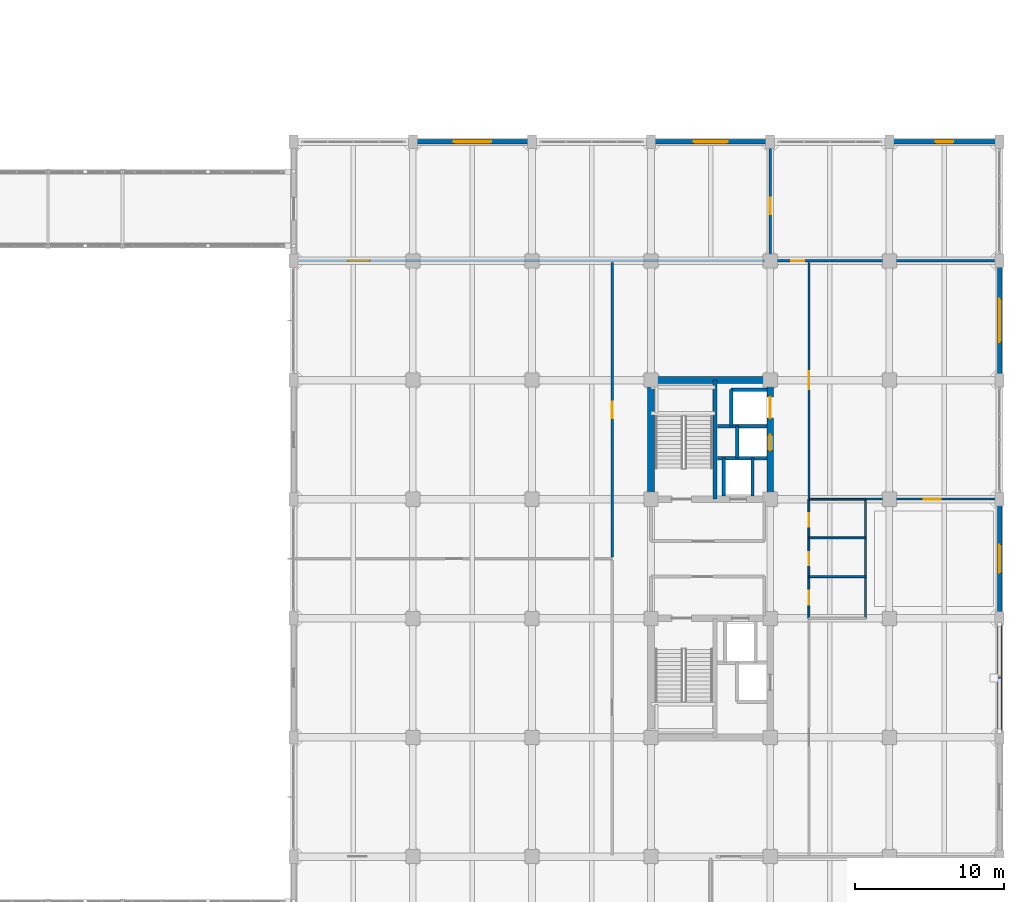
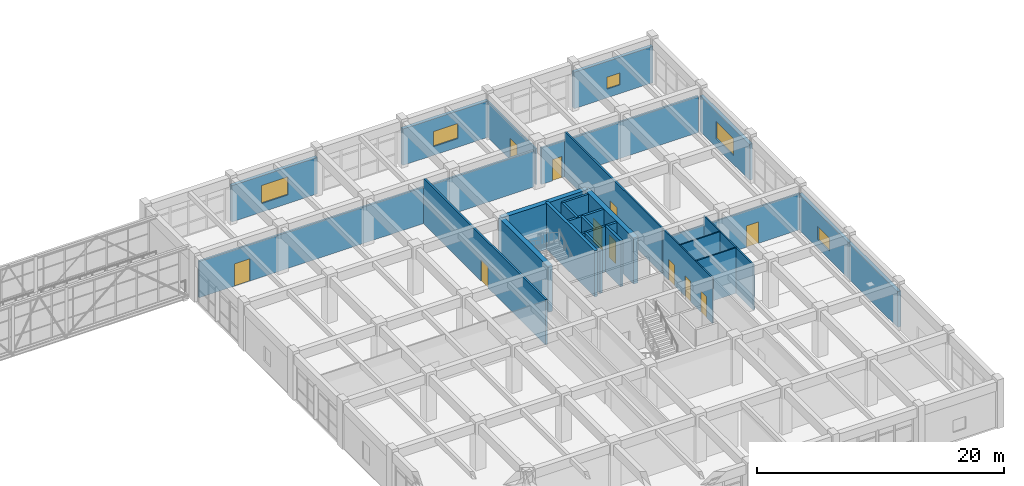
# One storey, part 229 of 248: 28 walls, 11 doors, 5 windows, 16 openings.
"""IFC4 building model written with IfcOpenShell, lengths in metres."""

from ifc_helpers import new_model, si_unit, direction, frame, frame_2d, origin, place, context, subcontext, project, spatial, rectangle, extrude, material, layer, layer_set, type_object, element, fill, save


model = new_model("IFC4")

# Units and contexts
model_context = context("Model", 3, precision=1e-05, world=origin(), true_north=direction((0.0, 1.0)))
body_context = subcontext(model_context, "Body", "Model", "MODEL_VIEW")
ifc_project = project(units=[si_unit("LENGTHUNIT", "METRE"), si_unit("AREAUNIT", "SQUARE_METRE"), si_unit("VOLUMEUNIT", "CUBIC_METRE"), si_unit("PLANEANGLEUNIT", "RADIAN"), si_unit("MASSUNIT", "GRAM", prefix="KILO")], contexts=[model_context])

# Site, building, storey
site_placement = place(None, origin())
site = spatial("IfcSite", under=ifc_project, at=site_placement, CompositionType="ELEMENT")
building_placement = place(site_placement, origin())
building = spatial("IfcBuilding", under=site, at=building_placement, Name="Canggui Botanical Conservatory", CompositionType="ELEMENT")
storey_placement = place(building_placement, frame((0.0, 0.0, 5.39990234375)))
storey = spatial("IfcBuildingStorey", under=building, at=storey_placement, Name="L02", CompositionType="ELEMENT", Elevation=5.39990234375)

# Wall, opening, window
ifc_material_1 = material(Name="Precast Concrete C40", Category="concrete")
ifc_layer_1 = layer(ifc_material_1, 0.300048828125, Name="Precast Concrete C40", Category="concrete")
ifc_layer_set_1 = layer_set([ifc_layer_1], Name="Precast Concrete C40")
wall_type_1 = type_object("IfcWallType", Name="EW-300", PredefinedType="STANDARD", material=ifc_layer_set_1)
wall_1_placement = place(storey_placement, frame((138.0, 82.0, 0.0), z_axis=(0.0, 0.0, 1.0), x_axis=(1.0, 0.0, 0.0)))
wall_1 = element("IfcWall", 1, at=wall_1_placement, inside=storey, type_object=wall_type_1, Name="Tower Insulated Exterior Wall L02-N15", PredefinedType="STANDARD", context=body_context, shape_type="SweptSolid", body=[
    extrude(rectangle(XDim=8.0, YDim=0.300048828125, at=frame_2d((4.0, 0.0))), origin(), (0.0, 0.0, 1.0), 3.60009765625),
])
opening_1_placement = place(wall_1_placement, frame((2.75, 0.0, 0.85009765625)))
opening_1 = element("IfcOpeningElement", 2, at=opening_1_placement, cuts=wall_1, Name="Opening W-18", PredefinedType="OPENING", context=body_context, shape_type="SweptSolid", body=[
    extrude(rectangle(XDim=2.5, YDim=1.800048828125, at=frame_2d((1.25, 0.89990234375))), frame((0.0, 0.16015625, 0.0), z_axis=(0.0, -1.0, 0.0), x_axis=(1.0, 0.0, 0.0)), (0.0, 0.0, 1.0), 0.320068359375),
])
ifc_material_2 = material(Name="Low-E Insulated Glass", Category="glass")
window_type_1 = type_object("IfcWindowType", Name="WIN-18", PartitioningType="DOUBLE_PANEL_VERTICAL", PredefinedType="WINDOW", material=ifc_material_2)
window_1_placement = place(opening_1_placement, origin())
window_1 = element("IfcWindow", 3, at=window_1_placement, inside=storey, type_object=window_type_1, Name="Tower Window L02-15", OverallHeight=1.800048828125, OverallWidth=2.5, PartitioningType="SINGLE_PANEL", PredefinedType="WINDOW", context=body_context, shape_type="SweptSolid", body=[
    extrude(rectangle(XDim=2.5, YDim=1.800048828125, at=frame_2d((1.25, 0.89990234375))), frame((0.0, 0.030029296875, 0.0), z_axis=(0.0, -1.0, 0.0), x_axis=(1.0, 0.0, 0.0)), (0.0, 0.0, 1.0), 0.06005859375),
])
fill(opening_1, window_1)

wall_2_placement = place(storey_placement, frame((154.0, 82.0, 0.0), z_axis=(0.0, 0.0, 1.0), x_axis=(1.0, 0.0, 0.0)))
wall_2 = element("IfcWall", 4, at=wall_2_placement, inside=storey, type_object=wall_type_1, Name="Tower Insulated Exterior Wall L02-N17", PredefinedType="STANDARD", context=body_context, shape_type="SweptSolid", body=[
    extrude(rectangle(XDim=8.0, YDim=0.300048828125, at=frame_2d((4.0, 0.0))), origin(), (0.0, 0.0, 1.0), 3.60009765625),
])
opening_2_placement = place(wall_2_placement, frame((2.85009765625, 0.0, 0.85009765625)))
opening_2 = element("IfcOpeningElement", 5, at=opening_2_placement, cuts=wall_2, Name="Opening W-19", PredefinedType="OPENING", context=body_context, shape_type="SweptSolid", body=[
    extrude(rectangle(XDim=2.300048828125, YDim=1.5, at=frame_2d((1.14990234375, 0.75))), frame((0.0, 0.16015625, 0.0), z_axis=(0.0, -1.0, 0.0), x_axis=(1.0, 0.0, 0.0)), (0.0, 0.0, 1.0), 0.320068359375),
])
window_type_2 = type_object("IfcWindowType", Name="WIN-19", PartitioningType="DOUBLE_PANEL_VERTICAL", PredefinedType="WINDOW", material=ifc_material_2)
window_2_placement = place(opening_2_placement, origin())
window_2 = element("IfcWindow", 6, at=window_2_placement, inside=storey, type_object=window_type_2, Name="Tower Window L02-17", OverallHeight=1.5, OverallWidth=2.300048828125, PartitioningType="SINGLE_PANEL", PredefinedType="WINDOW", context=body_context, shape_type="SweptSolid", body=[
    extrude(rectangle(XDim=2.300048828125, YDim=1.5, at=frame_2d((1.14990234375, 0.75))), frame((0.0, 0.030029296875, 0.0), z_axis=(0.0, -1.0, 0.0), x_axis=(1.0, 0.0, 0.0)), (0.0, 0.0, 1.0), 0.06005859375),
])
fill(opening_2, window_2)

wall_3_placement = place(storey_placement, frame((170.0, 82.0, 0.0), z_axis=(0.0, 0.0, 1.0), x_axis=(1.0, 0.0, 0.0)))
wall_3 = element("IfcWall", 7, at=wall_3_placement, inside=storey, type_object=wall_type_1, Name="Tower Insulated Exterior Wall L02-N19", PredefinedType="STANDARD", context=body_context, shape_type="SweptSolid", body=[
    extrude(rectangle(XDim=7.39990234375, YDim=0.300048828125, at=frame_2d((3.699951171875, 0.0))), origin(), (0.0, 0.0, 1.0), 3.60009765625),
])
opening_3_placement = place(wall_3_placement, frame((3.10009765625, 0.0, 0.85009765625)))
opening_3 = element("IfcOpeningElement", 8, at=opening_3_placement, cuts=wall_3, Name="Opening W-06", PredefinedType="OPENING", context=body_context, shape_type="SweptSolid", body=[
    extrude(rectangle(XDim=1.199951171875, YDim=1.199951171875, at=frame_2d((0.60009765625, 0.60009765625))), frame((0.0, 0.16015625, 0.0), z_axis=(0.0, -1.0, 0.0), x_axis=(1.0, 0.0, 0.0)), (0.0, 0.0, 1.0), 0.320068359375),
])
window_type_3 = type_object("IfcWindowType", Name="WIN-06", PartitioningType="SINGLE_PANEL", PredefinedType="WINDOW", material=ifc_material_2)
window_3_placement = place(opening_3_placement, origin())
window_3 = element("IfcWindow", 9, at=window_3_placement, inside=storey, type_object=window_type_3, Name="Tower Firefighter Rescue Window L02-19", OverallHeight=1.199951171875, OverallWidth=1.199951171875, PartitioningType="SINGLE_PANEL", PredefinedType="WINDOW", context=body_context, shape_type="SweptSolid", body=[
    extrude(rectangle(XDim=1.199951171875, YDim=1.199951171875, at=frame_2d((0.60009765625, 0.60009765625))), frame((0.0, 0.030029296875, 0.0), z_axis=(0.0, -1.0, 0.0), x_axis=(1.0, 0.0, 0.0)), (0.0, 0.0, 1.0), 0.06005859375),
])
fill(opening_3, window_3)

wall_4_placement = place(storey_placement, frame((177.39990234375, 74.0, 0.0), z_axis=(0.0, 0.0, 1.0), x_axis=(0.0, -1.0, 0.0)))
wall_4 = element("IfcWall", 10, at=wall_4_placement, inside=storey, type_object=wall_type_1, Name="Tower Insulated Exterior Wall L02-E21", PredefinedType="STANDARD", context=body_context, shape_type="SweptSolid", body=[
    extrude(rectangle(XDim=8.0, YDim=0.300048828125, at=frame_2d((4.0, 0.0))), origin(), (0.0, 0.0, 1.0), 3.550048828125),
])
opening_4_placement = place(wall_4_placement, frame((2.550048828125, 0.0, 0.85009765625)))
opening_4 = element("IfcOpeningElement", 11, at=opening_4_placement, cuts=wall_4, Name="Opening W-21", PredefinedType="OPENING", context=body_context, shape_type="SweptSolid", body=[
    extrude(rectangle(XDim=2.89990234375, YDim=1.699951171875, at=frame_2d((1.449951171875, 0.85009765625))), frame((0.0, 0.16015625, 0.0), z_axis=(0.0, -1.0, 0.0), x_axis=(1.0, 0.0, 0.0)), (0.0, 0.0, 1.0), 0.320068359375),
])
window_type_4 = type_object("IfcWindowType", Name="WIN-21", PartitioningType="TRIPLE_PANEL_VERTICAL", PredefinedType="WINDOW", material=ifc_material_2)
window_4_placement = place(opening_4_placement, origin())
window_4 = element("IfcWindow", 12, at=window_4_placement, inside=storey, type_object=window_type_4, Name="Tower Window L02-21", OverallHeight=1.699951171875, OverallWidth=2.89990234375, PartitioningType="SINGLE_PANEL", PredefinedType="WINDOW", context=body_context, shape_type="SweptSolid", body=[
    extrude(rectangle(XDim=2.89990234375, YDim=1.699951171875, at=frame_2d((1.449951171875, 0.85009765625))), frame((0.0, 0.030029296875, 0.0), z_axis=(0.0, -1.0, 0.0), x_axis=(1.0, 0.0, 0.0)), (0.0, 0.0, 1.0), 0.06005859375),
])
fill(opening_4, window_4)

wall_5_placement = place(storey_placement, frame((177.39990234375, 58.0, 0.0), z_axis=(0.0, 0.0, 1.0), x_axis=(0.0, -1.0, 0.0)))
wall_5 = element("IfcWall", 13, at=wall_5_placement, inside=storey, type_object=wall_type_1, Name="Tower Insulated Exterior Wall L02-E23", PredefinedType="STANDARD", context=body_context, shape_type="SweptSolid", body=[
    extrude(rectangle(XDim=8.0, YDim=0.300048828125, at=frame_2d((4.0, 0.0))), origin(), (0.0, 0.0, 1.0), 3.550048828125),
])
opening_5_placement = place(wall_5_placement, frame((3.050048828125, 0.0, 0.85009765625)))
opening_5 = element("IfcOpeningElement", 14, at=opening_5_placement, cuts=wall_5, Name="Opening W-22", PredefinedType="OPENING", context=body_context, shape_type="SweptSolid", body=[
    extrude(rectangle(XDim=1.89990234375, YDim=1.300048828125, at=frame_2d((0.949951171875, 0.64990234375))), frame((0.0, 0.16015625, 0.0), z_axis=(0.0, -1.0, 0.0), x_axis=(1.0, 0.0, 0.0)), (0.0, 0.0, 1.0), 0.320068359375),
])
window_type_5 = type_object("IfcWindowType", Name="WIN-22", PartitioningType="DOUBLE_PANEL_VERTICAL", PredefinedType="WINDOW", material=ifc_material_2)
window_5_placement = place(opening_5_placement, origin())
window_5 = element("IfcWindow", 15, at=window_5_placement, inside=storey, type_object=window_type_5, Name="Tower Window L02-23", OverallHeight=1.300048828125, OverallWidth=1.89990234375, PartitioningType="SINGLE_PANEL", PredefinedType="WINDOW", context=body_context, shape_type="SweptSolid", body=[
    extrude(rectangle(XDim=1.89990234375, YDim=1.300048828125, at=frame_2d((0.949951171875, 0.64990234375))), frame((0.0, 0.030029296875, 0.0), z_axis=(0.0, -1.0, 0.0), x_axis=(1.0, 0.0, 0.0)), (0.0, 0.0, 1.0), 0.06005859375),
])
fill(opening_5, window_5)

# Wall
wall_6_placement = place(storey_placement, frame((177.39990234375, 50.0, 0.0), z_axis=(0.0, 0.0, 1.0), x_axis=(0.0, -1.0, 0.0)))
element("IfcWall", 16, at=wall_6_placement, inside=storey, type_object=wall_type_1, Name="Tower Insulated Exterior Wall L02-E24", PredefinedType="STANDARD", context=body_context, shape_type="SweptSolid", body=[
    extrude(rectangle(XDim=8.0, YDim=0.300048828125, at=frame_2d((4.0, 0.0))), origin(), (0.0, 0.0, 1.0), 3.550048828125),
])

# Wall, opening, door
ifc_material_3 = material(Name="Gypsum Plasterboard Partition")
ifc_layer_2 = layer(ifc_material_3, 0.175048828125, Name="Gypsum Plasterboard Partition")
ifc_layer_set_2 = layer_set([ifc_layer_2], Name="Gypsum Plasterboard Partition")
wall_type_2 = type_object("IfcWallType", Name="IW-CORR-175", PredefinedType="STANDARD", material=ifc_layer_set_2)
wall_7_placement = place(storey_placement, frame((151.39990234375, 54.1201171875, 0.0), z_axis=(0.0, 0.0, 1.0), x_axis=(0.0, 1.0, 0.0)))
wall_7 = element("IfcWall", 17, at=wall_7_placement, inside=storey, type_object=wall_type_2, Name="L02 Herbarium Bryophyte Specimen Vault Corridor Wall", PredefinedType="STANDARD", context=body_context, shape_type="SweptSolid", body=[
    extrude(rectangle(XDim=19.759765625, YDim=0.175048828125, at=frame_2d((9.8798828125, 0.0))), origin(), (0.0, 0.0, 1.0), 4.5),
])
opening_6_placement = place(wall_7_placement, frame((9.330078125, 0.0, 0.0)))
opening_6 = element("IfcOpeningElement", 18, at=opening_6_placement, cuts=wall_7, Name="Opening FD-05", PredefinedType="OPENING", context=body_context, shape_type="SweptSolid", body=[
    extrude(rectangle(XDim=1.10009765625, YDim=2.10009765625, at=frame_2d((0.550048828125, 1.050048828125))), frame((0.0, 0.09765625, 0.0), z_axis=(0.0, -1.0, 0.0), x_axis=(1.0, 0.0, 0.0)), (0.0, 0.0, 1.0), 0.195068359375),
])
ifc_material_4 = material(Name="Powder-Coated Steel", Category="steel")
door_type_1 = type_object("IfcDoorType", Name="FD-05", OperationType="NOTDEFINED", PredefinedType="DOOR", material=ifc_material_4)
door_1_placement = place(opening_6_placement, origin())
door_1 = element("IfcDoor", 19, at=door_1_placement, inside=storey, type_object=door_type_1, Name="L02 Herbarium Bryophyte Specimen Vault Entrance Door", OperationType="SINGLE_SWING_LEFT", OverallHeight=2.10009765625, OverallWidth=1.10009765625, PredefinedType="DOOR", context=body_context, shape_type="SweptSolid", body=[
    extrude(rectangle(XDim=1.10009765625, YDim=2.10009765625, at=frame_2d((0.550048828125, 1.050048828125))), frame((0.0, 0.02490234375, 0.0), z_axis=(0.0, -1.0, 0.0), x_axis=(1.0, 0.0, 0.0)), (0.0, 0.0, 1.0), 0.050048828125),
])
fill(opening_6, door_1)

wall_8_placement = place(storey_placement, frame((130.35009765625, 74.0, 0.0), z_axis=(0.0, 0.0, 1.0), x_axis=(1.0, 0.0, 0.0)))
wall_8 = element("IfcWall", 20, at=wall_8_placement, inside=storey, type_object=wall_type_2, Name="L02 Herbarium Cold Fumigation Chamber North Suite Wall", PredefinedType="STANDARD", context=body_context, shape_type="SweptSolid", body=[
    extrude(rectangle(XDim=31.2998046875, YDim=0.175048828125, at=frame_2d((15.64990234375, 0.0))), origin(), (0.0, 0.0, 1.0), 3.60009765625),
])
opening_7_placement = place(wall_8_placement, frame((3.300048828125, 0.0, 0.0)))
opening_7 = element("IfcOpeningElement", 21, at=opening_7_placement, cuts=wall_8, Name="Opening FD-12", PredefinedType="OPENING", context=body_context, shape_type="SweptSolid", body=[
    extrude(rectangle(XDim=1.449951171875, YDim=2.199951171875, at=frame_2d((0.72509765625, 1.10009765625))), frame((0.0, 0.09765625, 0.0), z_axis=(0.0, -1.0, 0.0), x_axis=(1.0, 0.0, 0.0)), (0.0, 0.0, 1.0), 0.195068359375),
])
door_type_2 = type_object("IfcDoorType", Name="FD-12", OperationType="NOTDEFINED", PredefinedType="DOOR", material=ifc_material_4)
door_2_placement = place(opening_7_placement, origin())
door_2 = element("IfcDoor", 22, at=door_2_placement, inside=storey, type_object=door_type_2, Name="Interior Door IW-L02-NCOR-1", OperationType="SINGLE_SWING_RIGHT", OverallHeight=2.199951171875, OverallWidth=1.449951171875, PredefinedType="DOOR", context=body_context, shape_type="SweptSolid", body=[
    extrude(rectangle(XDim=1.449951171875, YDim=2.199951171875, at=frame_2d((0.72509765625, 1.10009765625))), frame((0.0, 0.02490234375, 0.0), z_axis=(0.0, -1.0, 0.0), x_axis=(1.0, 0.0, 0.0)), (0.0, 0.0, 1.0), 0.050048828125),
])
fill(opening_7, door_2)

wall_9_placement = place(storey_placement, frame((162.35009765625, 74.0, 0.0), z_axis=(0.0, 0.0, 1.0), x_axis=(1.0, 0.0, 0.0)))
wall_9 = element("IfcWall", 23, at=wall_9_placement, inside=storey, type_object=wall_type_2, Name="L02 Specimen Loan Dispatch Studio North Suite Wall", PredefinedType="STANDARD", context=body_context, shape_type="SweptSolid", body=[
    extrude(rectangle(XDim=14.699951171875, YDim=0.175048828125, at=frame_2d((7.35009765625, 0.0))), origin(), (0.0, 0.0, 1.0), 3.60009765625),
])
opening_8_placement = place(wall_9_placement, frame((1.050048828125, 0.0, 0.0)))
opening_8 = element("IfcOpeningElement", 24, at=opening_8_placement, cuts=wall_9, Name="Opening FD-01", PredefinedType="OPENING", context=body_context, shape_type="SweptSolid", body=[
    extrude(rectangle(XDim=0.89990234375, YDim=2.10009765625, at=frame_2d((0.449951171875, 1.050048828125))), frame((0.0, 0.09765625, 0.0), z_axis=(0.0, -1.0, 0.0), x_axis=(1.0, 0.0, 0.0)), (0.0, 0.0, 1.0), 0.195068359375),
])
door_type_3 = type_object("IfcDoorType", Name="FD-01", OperationType="NOTDEFINED", PredefinedType="DOOR", material=ifc_material_4)
door_3_placement = place(opening_8_placement, origin())
door_3 = element("IfcDoor", 25, at=door_3_placement, inside=storey, type_object=door_type_3, Name="Interior Door IW-L02-NCOR-2", OperationType="SINGLE_SWING_RIGHT", OverallHeight=2.10009765625, OverallWidth=0.89990234375, PredefinedType="DOOR", context=body_context, shape_type="SweptSolid", body=[
    extrude(rectangle(XDim=0.89990234375, YDim=2.10009765625, at=frame_2d((0.449951171875, 1.050048828125))), frame((0.0, 0.02490234375, 0.0), z_axis=(0.0, -1.0, 0.0), x_axis=(1.0, 0.0, 0.0)), (0.0, 0.0, 1.0), 0.050048828125),
])
fill(opening_8, door_3)

ifc_layer_3 = layer(ifc_material_3, 0.155029296875, Name="Gypsum Plasterboard Partition")
ifc_layer_set_3 = layer_set([ifc_layer_3], Name="Gypsum Plasterboard Partition")
wall_type_3 = type_object("IfcWallType", Name="IW-LAB-155", PredefinedType="STANDARD", material=ifc_layer_set_3)
wall_10_placement = place(storey_placement, frame((164.60009765625, 58.080078125, 0.0), z_axis=(0.0, 0.0, 1.0), x_axis=(0.0, 1.0, 0.0)))
wall_10 = element("IfcWall", 26, at=wall_10_placement, inside=storey, type_object=wall_type_3, Name="L02 Archival Acid-Free Paper Store Lab Wall", PredefinedType="STANDARD", context=body_context, shape_type="SweptSolid", body=[
    extrude(rectangle(XDim=15.7998046875, YDim=0.155029296875, at=frame_2d((7.89990234375, 0.0))), origin(), (0.0, 0.0, 1.0), 4.5),
])
opening_9_placement = place(wall_10_placement, frame((7.300048828125, 0.0, 0.0)))
opening_9 = element("IfcOpeningElement", 27, at=opening_9_placement, cuts=wall_10, Name="Opening FD-07", PredefinedType="OPENING", context=body_context, shape_type="SweptSolid", body=[
    extrude(rectangle(XDim=1.199951171875, YDim=2.10009765625, at=frame_2d((0.60009765625, 1.050048828125))), frame((0.0, 0.08740234375, 0.0), z_axis=(0.0, -1.0, 0.0), x_axis=(1.0, 0.0, 0.0)), (0.0, 0.0, 1.0), 0.175048828125),
])
door_type_4 = type_object("IfcDoorType", Name="FD-07", OperationType="NOTDEFINED", PredefinedType="DOOR", material=ifc_material_4)
door_4_placement = place(opening_9_placement, origin())
door_4 = element("IfcDoor", 28, at=door_4_placement, inside=storey, type_object=door_type_4, Name="Interior Door IW-L02-ECOR-2-1", OperationType="SINGLE_SWING_RIGHT", OverallHeight=2.10009765625, OverallWidth=1.199951171875, PredefinedType="DOOR", context=body_context, shape_type="SweptSolid", body=[
    extrude(rectangle(XDim=1.199951171875, YDim=2.10009765625, at=frame_2d((0.60009765625, 1.050048828125))), frame((0.0, 0.02490234375, 0.0), z_axis=(0.0, -1.0, 0.0), x_axis=(1.0, 0.0, 0.0)), (0.0, 0.0, 1.0), 0.050048828125),
])
fill(opening_9, door_4)

ifc_layer_4 = layer(ifc_material_3, 0.139892578125, Name="Gypsum Plasterboard Partition")
ifc_layer_set_4 = layer_set([ifc_layer_4], Name="Gypsum Plasterboard Partition")
wall_type_4 = type_object("IfcWallType", Name="IW-PART-140", PredefinedType="STANDARD", material=ifc_layer_set_4)
wall_11_placement = place(storey_placement, frame((168.39990234375, 58.0, 0.0), z_axis=(0.0, 0.0, 1.0), x_axis=(1.0, 0.0, 0.0)))
wall_11 = element("IfcWall", 29, at=wall_11_placement, inside=storey, type_object=wall_type_4, Name="L02 Herbarium Mounting and Curation Studio Subdivision Wall", PredefinedType="STANDARD", context=body_context, shape_type="SweptSolid", body=[
    extrude(rectangle(XDim=8.960205078125, YDim=0.139892578125, at=frame_2d((4.47998046875, 0.0))), origin(), (0.0, 0.0, 1.0), 3.60009765625),
])
opening_10_placement = place(wall_11_placement, frame((3.919921875, 0.0, 0.0)))
opening_10 = element("IfcOpeningElement", 30, at=opening_10_placement, cuts=wall_11, Name="Opening ID-06", PredefinedType="OPENING", context=body_context, shape_type="SweptSolid", body=[
    extrude(rectangle(XDim=1.1201171875, YDim=2.1201171875, at=frame_2d((0.56005859375, 1.06005859375))), frame((0.0, 0.080078125, 0.0), z_axis=(0.0, -1.0, 0.0), x_axis=(1.0, 0.0, 0.0)), (0.0, 0.0, 1.0), 0.159912109375),
])
ifc_material_5 = material(Name="Engineered Timber Veneer", Category="wood")
door_type_5 = type_object("IfcDoorType", Name="ID-06", OperationType="NOTDEFINED", PredefinedType="DOOR", material=ifc_material_5)
door_5_placement = place(opening_10_placement, origin())
door_5 = element("IfcDoor", 31, at=door_5_placement, inside=storey, type_object=door_type_5, Name="Interior Door IW-L02-EDIV-1", OperationType="SINGLE_SWING_LEFT", OverallHeight=2.1201171875, OverallWidth=1.1201171875, PredefinedType="DOOR", context=body_context, shape_type="SweptSolid", body=[
    extrude(rectangle(XDim=1.1201171875, YDim=2.1201171875, at=frame_2d((0.56005859375, 1.06005859375))), frame((0.0, 0.02490234375, 0.0), z_axis=(0.0, -1.0, 0.0), x_axis=(1.0, 0.0, 0.0)), (0.0, 0.0, 1.0), 0.050048828125),
])
fill(opening_10, door_5)

wall_12_placement = place(storey_placement, frame((162.0, 74.1201171875, 0.0), z_axis=(0.0, 0.0, 1.0), x_axis=(0.0, 1.0, 0.0)))
wall_12 = element("IfcWall", 32, at=wall_12_placement, inside=storey, type_object=wall_type_4, Name="L02 Herbarium Cold Fumigation Chamber North Cross Wall", PredefinedType="STANDARD", context=body_context, shape_type="SweptSolid", body=[
    extrude(rectangle(XDim=7.829833984375, YDim=0.139892578125, at=frame_2d((3.9150390625, 0.0))), origin(), (0.0, 0.0, 1.0), 3.550048828125),
])
opening_11_placement = place(wall_12_placement, frame((3.0, 0.0, 0.0)))
opening_11 = element("IfcOpeningElement", 33, at=opening_11_placement, cuts=wall_12, Name="Opening ID-06", PredefinedType="OPENING", context=body_context, shape_type="SweptSolid", body=[
    extrude(rectangle(XDim=1.1201171875, YDim=2.1201171875, at=frame_2d((0.56005859375, 1.06005859375))), frame((0.0, 0.080078125, 0.0), z_axis=(0.0, -1.0, 0.0), x_axis=(1.0, 0.0, 0.0)), (0.0, 0.0, 1.0), 0.159912109375),
])
door_6_placement = place(opening_11_placement, origin())
door_6 = element("IfcDoor", 34, at=door_6_placement, inside=storey, type_object=door_type_5, Name="Interior Door IW-L02-NDIV-1", OperationType="SINGLE_SWING_LEFT", OverallHeight=2.1201171875, OverallWidth=1.1201171875, PredefinedType="DOOR", context=body_context, shape_type="SweptSolid", body=[
    extrude(rectangle(XDim=1.1201171875, YDim=2.1201171875, at=frame_2d((0.56005859375, 1.06005859375))), frame((0.0, 0.02490234375, 0.0), z_axis=(0.0, -1.0, 0.0), x_axis=(1.0, 0.0, 0.0)), (0.0, 0.0, 1.0), 0.050048828125),
])
fill(opening_11, door_6)

# Walls
ifc_material_6 = material(Name="Concrete C35", Category="concrete")
ifc_layer_5 = layer(ifc_material_6, 0.215087890625, Name="Concrete C35", Category="concrete")
ifc_layer_set_5 = layer_set([ifc_layer_5], Name="Concrete C35")
wall_type_5 = type_object("IfcWallType", Name="IW-SHAFT-215", PredefinedType="STANDARD", material=ifc_layer_set_5)
wall_13_placement = place(storey_placement, frame((158.449951171875, 62.89990234375, 0.0), z_axis=(0.0, 0.0, 1.0), x_axis=(1.0, 0.0, 0.0)))
element("IfcWall", 35, at=wall_13_placement, inside=storey, type_object=wall_type_5, Name="Core T2 Goods Lift Shaft Divider L02", PredefinedType="STANDARD", context=body_context, shape_type="SweptSolid", body=[
    extrude(rectangle(XDim=3.35009765625, YDim=0.215087890625, at=frame_2d((1.675048828125, 0.0))), origin(), (0.0, 0.0, 1.0), 4.5),
])
wall_14_placement = place(storey_placement, frame((160.820068359375, 58.199951171875, 0.0), z_axis=(0.0, 0.0, 1.0), x_axis=(0.0, 1.0, 0.0)))
element("IfcWall", 36, at=wall_14_placement, inside=storey, type_object=wall_type_5, Name="Core T2 Lift Bank Web L02", PredefinedType="STANDARD", context=body_context, shape_type="SweptSolid", body=[
    extrude(rectangle(XDim=2.550048828125, YDim=0.215087890625, at=frame_2d((1.27490234375, 0.0))), origin(), (0.0, 0.0, 1.0), 4.5),
])
wall_15_placement = place(storey_placement, frame((159.3798828125, 62.89990234375, 0.0), z_axis=(0.0, 0.0, 1.0), x_axis=(0.0, 1.0, 0.0)))
element("IfcWall", 37, at=wall_15_placement, inside=storey, type_object=wall_type_5, Name="Core T2 GL-01 West Shaft Wall L02", PredefinedType="STANDARD", context=body_context, shape_type="SweptSolid", body=[
    extrude(rectangle(XDim=2.4501953125, YDim=0.215087890625, at=frame_2d((1.22509765625, 0.0))), origin(), (0.0, 0.0, 1.0), 4.5),
])
wall_16_placement = place(storey_placement, frame((159.3798828125, 65.35009765625, 0.0), z_axis=(0.0, 0.0, 1.0), x_axis=(1.0, 0.0, 0.0)))
element("IfcWall", 38, at=wall_16_placement, inside=storey, type_object=wall_type_5, Name="Core T2 GL-01 North Shaft Wall L02", PredefinedType="STANDARD", context=body_context, shape_type="SweptSolid", body=[
    extrude(rectangle(XDim=2.420166015625, YDim=0.215087890625, at=frame_2d((1.2099609375, 0.0))), origin(), (0.0, 0.0, 1.0), 4.5),
])
wall_17_placement = place(storey_placement, frame((158.449951171875, 60.75, 0.0), z_axis=(0.0, 0.0, 1.0), x_axis=(1.0, 0.0, 0.0)))
element("IfcWall", 39, at=wall_17_placement, inside=storey, type_object=wall_type_5, Name="Core T2 PL-02 South Shaft Wall L02", PredefinedType="STANDARD", context=body_context, shape_type="SweptSolid", body=[
    extrude(rectangle(XDim=3.35009765625, YDim=0.215087890625, at=frame_2d((1.675048828125, 0.0))), origin(), (0.0, 0.0, 1.0), 4.5),
])
wall_18_placement = place(storey_placement, frame((159.780029296875, 60.75, 0.0), z_axis=(0.0, 0.0, 1.0), x_axis=(0.0, 1.0, 0.0)))
element("IfcWall", 40, at=wall_18_placement, inside=storey, type_object=wall_type_5, Name="Core T2 PL-02 West Shaft Wall L02", PredefinedType="STANDARD", context=body_context, shape_type="SweptSolid", body=[
    extrude(rectangle(XDim=2.14990234375, YDim=0.215087890625, at=frame_2d((1.074951171875, 0.0))), origin(), (0.0, 0.0, 1.0), 4.5),
])
wall_19_placement = place(storey_placement, frame((158.8798828125, 58.199951171875, 0.0), z_axis=(0.0, 0.0, 1.0), x_axis=(0.0, 1.0, 0.0)))
element("IfcWall", 41, at=wall_19_placement, inside=storey, type_object=wall_type_5, Name="Core T2 FL-02 West Shaft Wall L02", PredefinedType="STANDARD", context=body_context, shape_type="SweptSolid", body=[
    extrude(rectangle(XDim=2.550048828125, YDim=0.215087890625, at=frame_2d((1.27490234375, 0.0))), origin(), (0.0, 0.0, 1.0), 4.5),
])

# Wall, openings, doors
ifc_layer_6 = layer(ifc_material_3, 0.125, Name="Gypsum Plasterboard Partition")
ifc_layer_set_6 = layer_set([ifc_layer_6], Name="Gypsum Plasterboard Partition")
wall_type_6 = type_object("IfcWallType", Name="IW-WC-125", PredefinedType="STANDARD", material=ifc_layer_set_6)
wall_20_placement = place(storey_placement, frame((164.60009765625, 50.0, 0.0), z_axis=(0.0, 0.0, 1.0), x_axis=(0.0, 1.0, 0.0)))
wall_20 = element("IfcWall", 42, at=wall_20_placement, inside=storey, type_object=wall_type_6, Name="L02 Restroom Block Corridor Wall", PredefinedType="STANDARD", context=body_context, shape_type="SweptSolid", body=[
    extrude(rectangle(XDim=8.0, YDim=0.125, at=frame_2d((4.0, 0.0))), origin(), (0.0, 0.0, 1.0), 4.5),
])
opening_12_placement = place(wall_20_placement, frame((0.89990234375, 0.0, 0.0)))
opening_12 = element("IfcOpeningElement", 43, at=opening_12_placement, cuts=wall_20, Name="Opening ID-03", PredefinedType="OPENING", context=body_context, shape_type="SweptSolid", body=[
    extrude(rectangle(XDim=0.9599609375, YDim=2.080078125, at=frame_2d((0.47998046875, 1.0400390625))), frame((0.0, 0.072509765625, 0.0), z_axis=(0.0, -1.0, 0.0), x_axis=(1.0, 0.0, 0.0)), (0.0, 0.0, 1.0), 0.14501953125),
])
opening_13_placement = place(wall_20_placement, frame((3.550048828125, 0.0, 0.0)))
opening_13 = element("IfcOpeningElement", 44, at=opening_13_placement, cuts=wall_20, Name="Opening ID-01", PredefinedType="OPENING", context=body_context, shape_type="SweptSolid", body=[
    extrude(rectangle(XDim=0.8798828125, YDim=2.050048828125, at=frame_2d((0.43994140625, 1.02490234375))), frame((0.0, 0.072509765625, 0.0), z_axis=(0.0, -1.0, 0.0), x_axis=(1.0, 0.0, 0.0)), (0.0, 0.0, 1.0), 0.14501953125),
])
opening_14_placement = place(wall_20_placement, frame((6.14990234375, 0.0, 0.0)))
opening_14 = element("IfcOpeningElement", 45, at=opening_14_placement, cuts=wall_20, Name="Opening ID-02", PredefinedType="OPENING", context=body_context, shape_type="SweptSolid", body=[
    extrude(rectangle(XDim=0.919921875, YDim=2.050048828125, at=frame_2d((0.4599609375, 1.02490234375))), frame((0.0, 0.072509765625, 0.0), z_axis=(0.0, -1.0, 0.0), x_axis=(1.0, 0.0, 0.0)), (0.0, 0.0, 1.0), 0.14501953125),
])
door_type_6 = type_object("IfcDoorType", Name="ID-01", OperationType="NOTDEFINED", PredefinedType="DOOR", material=ifc_material_5)
door_7_placement = place(opening_13_placement, origin())
door_7 = element("IfcDoor", 46, at=door_7_placement, inside=storey, type_object=door_type_6, Name="L02 Male WC Door", OperationType="SINGLE_SWING_LEFT", OverallHeight=2.050048828125, OverallWidth=0.8798828125, PredefinedType="DOOR", context=body_context, shape_type="SweptSolid", body=[
    extrude(rectangle(XDim=0.8798828125, YDim=2.050048828125, at=frame_2d((0.43994140625, 1.02490234375))), frame((0.0, 0.02490234375, 0.0), z_axis=(0.0, -1.0, 0.0), x_axis=(1.0, 0.0, 0.0)), (0.0, 0.0, 1.0), 0.050048828125),
])
fill(opening_13, door_7)
door_type_7 = type_object("IfcDoorType", Name="ID-02", OperationType="NOTDEFINED", PredefinedType="DOOR", material=ifc_material_5)
door_8_placement = place(opening_14_placement, origin())
door_8 = element("IfcDoor", 47, at=door_8_placement, inside=storey, type_object=door_type_7, Name="L02 Female WC Door", OperationType="SINGLE_SWING_RIGHT", OverallHeight=2.050048828125, OverallWidth=0.919921875, PredefinedType="DOOR", context=body_context, shape_type="SweptSolid", body=[
    extrude(rectangle(XDim=0.919921875, YDim=2.050048828125, at=frame_2d((0.4599609375, 1.02490234375))), frame((0.0, 0.02490234375, 0.0), z_axis=(0.0, -1.0, 0.0), x_axis=(1.0, 0.0, 0.0)), (0.0, 0.0, 1.0), 0.050048828125),
])
fill(opening_14, door_8)
door_type_8 = type_object("IfcDoorType", Name="ID-03", OperationType="NOTDEFINED", PredefinedType="DOOR", material=ifc_material_5)
door_9_placement = place(opening_12_placement, origin())
door_9 = element("IfcDoor", 48, at=door_9_placement, inside=storey, type_object=door_type_8, Name="L02 Accessible WC Door", OperationType="SINGLE_SWING_RIGHT", OverallHeight=2.080078125, OverallWidth=0.9599609375, PredefinedType="DOOR", context=body_context, shape_type="SweptSolid", body=[
    extrude(rectangle(XDim=0.9599609375, YDim=2.080078125, at=frame_2d((0.47998046875, 1.0400390625))), frame((0.0, 0.02490234375, 0.0), z_axis=(0.0, -1.0, 0.0), x_axis=(1.0, 0.0, 0.0)), (0.0, 0.0, 1.0), 0.050048828125),
])
fill(opening_12, door_9)

# Walls
wall_21_placement = place(storey_placement, frame((168.39990234375, 50.0, 0.0), z_axis=(0.0, 0.0, 1.0), x_axis=(0.0, 1.0, 0.0)))
element("IfcWall", 49, at=wall_21_placement, inside=storey, type_object=wall_type_6, Name="L02 Restroom Block Back Wall", PredefinedType="STANDARD", context=body_context, shape_type="SweptSolid", body=[
    extrude(rectangle(XDim=8.0, YDim=0.125, at=frame_2d((4.0, 0.0))), origin(), (0.0, 0.0, 1.0), 4.5),
])
for number, where, z_axis, x_axis, name in (
    (50, (164.60009765625, 52.800048828125, 0.0), (0.0, 0.0, 1.0), (1.0, 0.0, 0.0), "L02 Restroom Divider Y52.8"),
    (51, (164.60009765625, 55.39990234375, 0.0), (0.0, 0.0, 1.0), (1.0, 0.0, 0.0), "L02 Restroom Divider Y55.4"),
):
    element("IfcWall", number, at=place(storey_placement, frame(where, z_axis=z_axis, x_axis=x_axis)), inside=storey, type_object=wall_type_6, Name=name, PredefinedType="STANDARD", context=body_context, shape_type="SweptSolid", body=[
        extrude(rectangle(XDim=3.7998046875, YDim=0.125, at=frame_2d((1.89990234375, 0.0))), origin(), (0.0, 0.0, 1.0), 4.5),
    ])
wall_22_placement = place(storey_placement, frame((164.60009765625, 58.0, 0.0), z_axis=(0.0, 0.0, 1.0), x_axis=(1.0, 0.0, 0.0)))
element("IfcWall", 52, at=wall_22_placement, inside=storey, type_object=wall_type_6, Name="L02 Restroom Divider Y58.0", PredefinedType="STANDARD", context=body_context, shape_type="SweptSolid", body=[
    extrude(rectangle(XDim=3.7998046875, YDim=0.125, at=frame_2d((1.89990234375, 0.0))), origin(), (0.0, 0.0, 1.0), 3.60009765625),
])
ifc_layer_7 = layer(ifc_material_6, 0.280029296875, Name="Concrete C35", Category="concrete")
ifc_layer_set_7 = layer_set([ifc_layer_7], Name="Concrete C35")
wall_type_7 = type_object("IfcWallType", Name="WALL-SH-280-C35", PredefinedType="SHEAR", material=ifc_layer_set_7)
wall_23_placement = place(storey_placement, frame((158.300048828125, 58.0, 0.0), z_axis=(0.0, 0.0, 1.0), x_axis=(0.0, 1.0, 0.0)))
element("IfcWall", 53, at=wall_23_placement, inside=storey, type_object=wall_type_7, Name="Core T2 Internal Shear Web L02", PredefinedType="SHEAR", context=body_context, shape_type="SweptSolid", body=[
    extrude(rectangle(XDim=8.0, YDim=0.280029296875, at=frame_2d((4.0, 0.0))), origin(), (0.0, 0.0, 1.0), 4.550048828125),
])

# Wall, openings, doors
ifc_material_7 = material(Name="Concrete C50", Category="concrete")
ifc_layer_8 = layer(ifc_material_7, 0.449951171875, Name="Concrete C50", Category="concrete")
ifc_layer_set_8 = layer_set([ifc_layer_8], Name="Concrete C50")
wall_type_8 = type_object("IfcWallType", Name="WALL-SH-450-C50", PredefinedType="SHEAR", material=ifc_layer_set_8)
wall_24_placement = place(storey_placement, frame((162.0, 58.0, 0.0), z_axis=(0.0, 0.0, 1.0), x_axis=(0.0, 1.0, 0.0)))
wall_24 = element("IfcWall", 54, at=wall_24_placement, inside=storey, type_object=wall_type_8, Name="Core T2 Shear Wall L02-E", PredefinedType="SHEAR", context=body_context, shape_type="SweptSolid", body=[
    extrude(rectangle(XDim=8.0, YDim=0.449951171875, at=frame_2d((4.0, 0.0))), origin(), (0.0, 0.0, 1.0), 4.550048828125),
])
opening_15_placement = place(wall_24_placement, frame((3.27490234375, 0.0, 0.0)))
opening_15 = element("IfcOpeningElement", 55, at=opening_15_placement, cuts=wall_24, Name="Opening LD-02", PredefinedType="OPENING", context=body_context, shape_type="SweptSolid", body=[
    extrude(rectangle(XDim=1.050048828125, YDim=2.199951171875, at=frame_2d((0.52490234375, 1.10009765625))), frame((0.0, 0.23486328125, 0.0), z_axis=(0.0, -1.0, 0.0), x_axis=(1.0, 0.0, 0.0)), (0.0, 0.0, 1.0), 0.469970703125),
])
opening_16_placement = place(wall_24_placement, frame((5.449951171875, 0.0, 0.0)))
opening_16 = element("IfcOpeningElement", 56, at=opening_16_placement, cuts=wall_24, Name="Opening LD-03", PredefinedType="OPENING", context=body_context, shape_type="SweptSolid", body=[
    extrude(rectangle(XDim=1.39990234375, YDim=2.300048828125, at=frame_2d((0.699951171875, 1.14990234375))), frame((0.0, 0.23486328125, 0.0), z_axis=(0.0, -1.0, 0.0), x_axis=(1.0, 0.0, 0.0)), (0.0, 0.0, 1.0), 0.469970703125),
])
ifc_material_8 = material(Name="Stainless Steel 304", Category="steel")
door_type_9 = type_object("IfcDoorType", Name="LDR-02", OperationType="NOTDEFINED", PredefinedType="DOOR", material=ifc_material_8)
door_10_placement = place(opening_15_placement, origin())
door_10 = element("IfcDoor", 57, at=door_10_placement, inside=storey, type_object=door_type_9, Name="Passenger Lift PL-02 Landing Door L02", OperationType="SLIDING_TO_RIGHT", OverallHeight=2.199951171875, OverallWidth=1.050048828125, PredefinedType="DOOR", context=body_context, shape_type="SweptSolid", body=[
    extrude(rectangle(XDim=1.050048828125, YDim=2.199951171875, at=frame_2d((0.52490234375, 1.10009765625))), frame((0.0, 0.02490234375, 0.0), z_axis=(0.0, -1.0, 0.0), x_axis=(1.0, 0.0, 0.0)), (0.0, 0.0, 1.0), 0.050048828125),
])
fill(opening_15, door_10)
door_type_10 = type_object("IfcDoorType", Name="LDR-03", OperationType="NOTDEFINED", PredefinedType="DOOR", material=ifc_material_8)
door_11_placement = place(opening_16_placement, origin())
door_11 = element("IfcDoor", 58, at=door_11_placement, inside=storey, type_object=door_type_10, Name="Herbarium Goods Lift GL-01 Landing Door L02", OperationType="DOUBLE_DOOR_SLIDING", OverallHeight=2.300048828125, OverallWidth=1.39990234375, PredefinedType="DOOR", context=body_context, shape_type="SweptSolid", body=[
    extrude(rectangle(XDim=1.39990234375, YDim=2.300048828125, at=frame_2d((0.699951171875, 1.14990234375))), frame((0.0, 0.02490234375, 0.0), z_axis=(0.0, -1.0, 0.0), x_axis=(1.0, 0.0, 0.0)), (0.0, 0.0, 1.0), 0.050048828125),
])
fill(opening_16, door_11)

# Walls
for number, where, z_axis, x_axis, name in (
    (59, (162.0, 66.0, 0.0), (0.0, 0.0, 1.0), (-1.0, 0.0, 0.0), "Core T2 Shear Wall L02-N"),
    (60, (154.0, 66.0, 0.0), (0.0, 0.0, 1.0), (0.0, -1.0, 0.0), "Core T2 Shear Wall L02-W"),
):
    element("IfcWall", number, at=place(storey_placement, frame(where, z_axis=z_axis, x_axis=x_axis)), inside=storey, type_object=wall_type_8, Name=name, PredefinedType="SHEAR", context=body_context, shape_type="SweptSolid", body=[
        extrude(rectangle(XDim=8.0, YDim=0.449951171875, at=frame_2d((4.0, 0.0))), origin(), (0.0, 0.0, 1.0), 4.550048828125),
    ])

save(model, "model.ifc")
